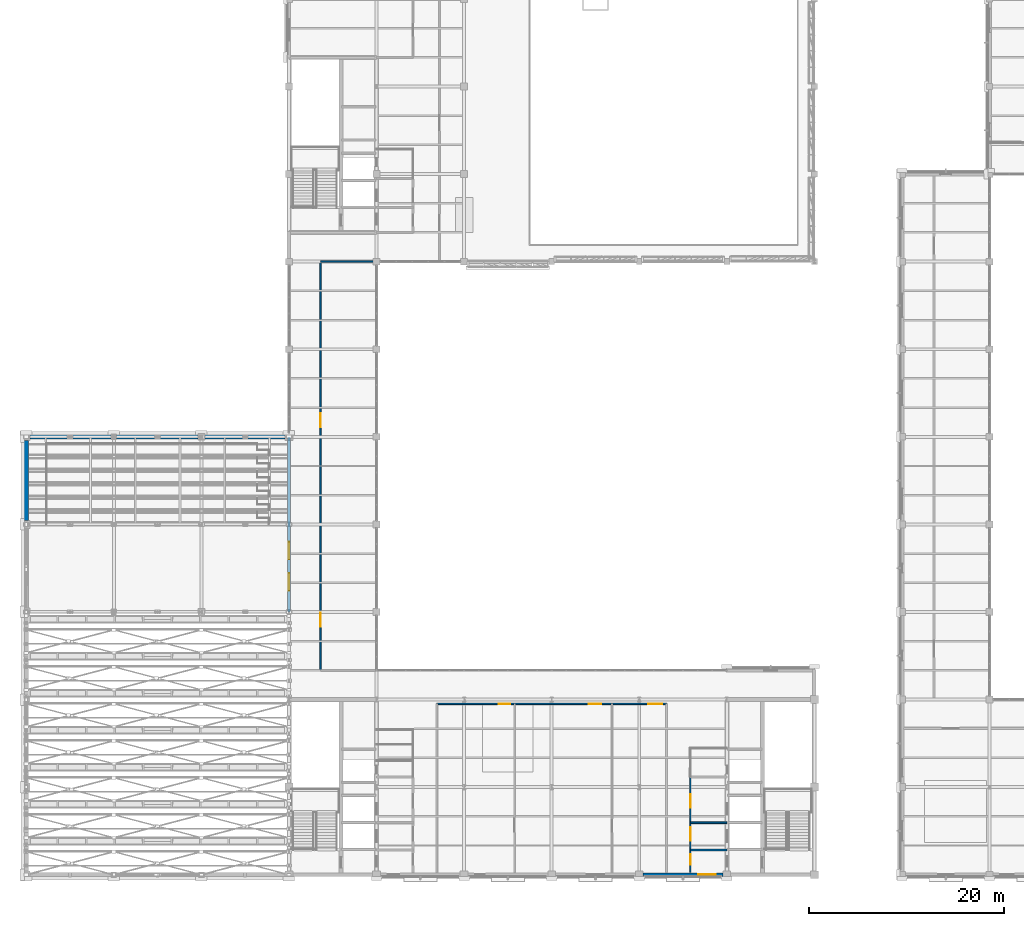
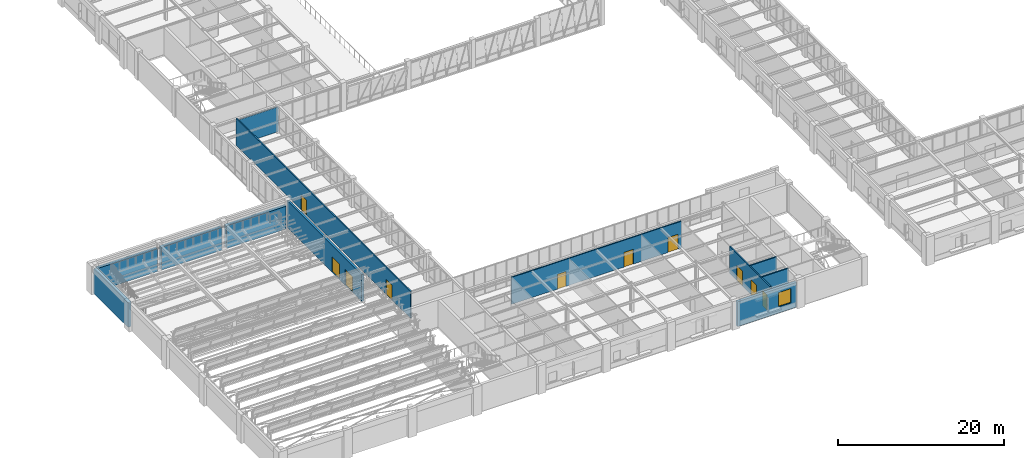
# One storey, part 91 of 108: 12 walls, 10 doors, 1 window, 11 openings.
"""IFC4 building model written with IfcOpenShell, lengths in metres."""

from ifc_helpers import new_model, si_unit, direction, frame, frame_2d, origin, place, context, subcontext, project, spatial, rectangle, extrude, material, layer, layer_set, type_object, element, fill, save


model = new_model("IFC4")

# Units and contexts
model_context = context("Model", 3, precision=1e-05, world=origin(), true_north=direction((0.0, 1.0)))
body_context = subcontext(model_context, "Body", "Model", "MODEL_VIEW")
ifc_project = project(units=[si_unit("LENGTHUNIT", "METRE"), si_unit("AREAUNIT", "SQUARE_METRE"), si_unit("VOLUMEUNIT", "CUBIC_METRE"), si_unit("PLANEANGLEUNIT", "RADIAN"), si_unit("MASSUNIT", "GRAM", prefix="KILO")], contexts=[model_context])

# Site, building, storey
site_placement = place(None, origin())
site = spatial("IfcSite", under=ifc_project, at=site_placement, CompositionType="ELEMENT")
building_placement = place(site_placement, origin())
building = spatial("IfcBuilding", under=site, at=building_placement, Name="Lykobir Media Centre", CompositionType="ELEMENT")
storey_placement = place(building_placement, frame((0.0, 0.0, 15.0)))
storey = spatial("IfcBuildingStorey", under=building, at=storey_placement, Name="L03", CompositionType="ELEMENT", Elevation=15.0)

# Walls
ifc_material_1 = material(Name="Concrete C35/45", Category="concrete")
ifc_layer_1 = layer(ifc_material_1, 0.4599609375, Name="Concrete C35/45")
ifc_layer_set_1 = layer_set([ifc_layer_1], Name="Concrete C35/45")
wall_type_1 = type_object("IfcWallType", Name="EW-ACO-460", PredefinedType="STANDARD", material=ifc_layer_set_1)
wall_1_placement = place(storey_placement, frame((8.715087890625, 45.0, 0.0), z_axis=(0.0, 0.0, 1.0), x_axis=(-1.0, 0.0, 0.0)))
element("IfcWall", 1, at=wall_1_placement, inside=storey, type_object=wall_type_1, Name="Exterior wall WALL-L03-0243", PredefinedType="STANDARD", context=body_context, shape_type="SweptSolid", body=[
    extrude(rectangle(XDim=8.330078125, YDim=0.4599609375, at=frame_2d((4.1650390625, 0.0))), origin(), (0.0, 0.0, 1.0), 3.3349609375),
])
wall_2_placement = place(storey_placement, frame((17.6650390625, 45.0, 0.0), z_axis=(0.0, 0.0, 1.0), x_axis=(-1.0, 0.0, 0.0)))
element("IfcWall", 2, at=wall_2_placement, inside=storey, type_object=wall_type_1, Name="Exterior wall WALL-L03-0244", PredefinedType="STANDARD", context=body_context, shape_type="SweptSolid", body=[
    extrude(rectangle(XDim=8.380126953125, YDim=0.4599609375, at=frame_2d((4.18994140625, 0.0))), origin(), (0.0, 0.0, 1.0), 3.3349609375),
])
wall_3_placement = place(storey_placement, frame((26.614990234375, 45.0, 0.0), z_axis=(0.0, 0.0, 1.0), x_axis=(-1.0, 0.0, 0.0)))
element("IfcWall", 3, at=wall_3_placement, inside=storey, type_object=wall_type_1, Name="Exterior wall WALL-L03-0245", PredefinedType="STANDARD", context=body_context, shape_type="SweptSolid", body=[
    extrude(rectangle(XDim=8.280029296875, YDim=0.4599609375, at=frame_2d((4.14013671875, 0.0))), origin(), (0.0, 0.0, 1.0), 3.3349609375),
])
wall_4_placement = place(storey_placement, frame((0.0, 44.614990234375, 0.0), z_axis=(0.0, 0.0, 1.0), x_axis=(0.0, -1.0, 0.0)))
element("IfcWall", 4, at=wall_4_placement, inside=storey, type_object=wall_type_1, Name="Exterior wall WALL-L03-0247", PredefinedType="STANDARD", context=body_context, shape_type="SweptSolid", body=[
    extrude(rectangle(XDim=8.22998046875, YDim=0.4599609375, at=frame_2d((4.114990234375, 0.0))), origin(), (0.0, 0.0, 1.0), 3.625),
])

# Wall, opening, window
ifc_material_2 = material(Name="Architectural Ochre Brick", Category="masonry")
ifc_layer_2 = layer(ifc_material_2, 0.360107421875, Name="Architectural Ochre Brick")
ifc_layer_set_2 = layer_set([ifc_layer_2], Name="Architectural Ochre Brick")
wall_type_2 = type_object("IfcWallType", Name="EW-BRK-360", PredefinedType="STANDARD", material=ifc_layer_set_2)
wall_5_placement = place(storey_placement, frame((63.385009765625, 0.0, 0.0), z_axis=(0.0, 0.0, 1.0), x_axis=(1.0, 0.0, 0.0)))
wall_5 = element("IfcWall", 5, at=wall_5_placement, inside=storey, type_object=wall_type_2, Name="Exterior wall WALL-L03-0235", PredefinedType="STANDARD", context=body_context, shape_type="SweptSolid", body=[
    extrude(rectangle(XDim=8.22998046875, YDim=0.360107421875, at=frame_2d((4.114990234375, 0.0))), origin(), (0.0, 0.0, 1.0), 3.635009765625),
])
opening_1_placement = place(wall_5_placement, frame((5.679931640625, 0.0, 0.89990234375)))
opening_1 = element("IfcOpeningElement", 6, at=opening_1_placement, cuts=wall_5, Name="Opening WN-1800x2100", PredefinedType="OPENING", context=body_context, shape_type="SweptSolid", body=[
    extrude(rectangle(XDim=1.800048828125, YDim=2.10009765625, at=frame_2d((0.89990234375, 1.050048828125))), frame((0.0, 0.18994140625, 0.0), z_axis=(0.0, -1.0, 0.0), x_axis=(1.0, 0.0, 0.0)), (0.0, 0.0, 1.0), 0.380126953125),
])
ifc_material_3 = material(Name="Low-E Laminated Triple Glazing", Category="glass")
window_type = type_object("IfcWindowType", Name="WN-1800x2100", PartitioningType="SINGLE_PANEL", PredefinedType="WINDOW", material=ifc_material_3)
window_placement = place(opening_1_placement, origin())
window = element("IfcWindow", 7, at=window_placement, inside=storey, type_object=window_type, Name="Window WIN-L03-0076", OverallHeight=2.10009765625, OverallWidth=1.800048828125, PartitioningType="SINGLE_PANEL", PredefinedType="WINDOW", context=body_context, shape_type="SweptSolid", body=[
    extrude(rectangle(XDim=1.800048828125, YDim=2.10009765625, at=frame_2d((0.89990234375, 1.050048828125))), frame((0.0, 0.030029296875, 0.0), z_axis=(0.0, -1.0, 0.0), x_axis=(1.0, 0.0, 0.0)), (0.0, 0.0, 1.0), 0.06005859375),
])
fill(opening_1, window)

# Wall, openings, doors
ifc_material_4 = material(Name="Acoustic Gypsum Board", Category="gypsum")
ifc_layer_3 = layer(ifc_material_4, 0.159912109375, Name="Acoustic Gypsum Board")
ifc_layer_set_3 = layer_set([ifc_layer_3], Name="Acoustic Gypsum Board")
wall_type_3 = type_object("IfcWallType", Name="IW-COR-160", PredefinedType="PARTITIONING", material=ifc_layer_set_3)
wall_6_placement = place(storey_placement, frame((42.199951171875, 17.550048828125, 0.0), z_axis=(0.0, 0.0, 1.0), x_axis=(1.0, 0.0, 0.0)))
wall_6 = element("IfcWall", 8, at=wall_6_placement, inside=storey, type_object=wall_type_3, Name="Wall IWALL-L03-0715", PredefinedType="PARTITIONING", context=body_context, shape_type="SweptSolid", body=[
    extrude(rectangle(XDim=23.60009765625, YDim=0.159912109375, at=frame_2d((11.800048828125, 0.0))), origin(), (0.0, 0.0, 1.0), 3.9599609375),
])
opening_2_placement = place(wall_6_placement, frame((6.35009765625, 0.0, 0.0)))
opening_2 = element("IfcOpeningElement", 9, at=opening_2_placement, cuts=wall_6, Name="Opening D-L03-V7R1", PredefinedType="OPENING", context=body_context, shape_type="SweptSolid", body=[
    extrude(rectangle(XDim=1.199951171875, YDim=2.179931640625, at=frame_2d((0.60009765625, 1.08984375))), frame((0.0, 0.08984375, 0.0), z_axis=(0.0, -1.0, 0.0), x_axis=(1.0, 0.0, 0.0)), (0.0, 0.0, 1.0), 0.179931640625),
])
opening_3_placement = place(wall_6_placement, frame((15.60009765625, 0.0, 0.0)))
opening_3 = element("IfcOpeningElement", 10, at=opening_3_placement, cuts=wall_6, Name="Opening D-L03-V7R2", PredefinedType="OPENING", context=body_context, shape_type="SweptSolid", body=[
    extrude(rectangle(XDim=1.300048828125, YDim=2.179931640625, at=frame_2d((0.64990234375, 1.08984375))), frame((0.0, 0.08984375, 0.0), z_axis=(0.0, -1.0, 0.0), x_axis=(1.0, 0.0, 0.0)), (0.0, 0.0, 1.0), 0.179931640625),
])
opening_4_placement = place(wall_6_placement, frame((21.699951171875, 0.0, 0.0)))
opening_4 = element("IfcOpeningElement", 11, at=opening_4_placement, cuts=wall_6, Name="Opening D-L03-V7R3", PredefinedType="OPENING", context=body_context, shape_type="SweptSolid", body=[
    extrude(rectangle(XDim=1.449951171875, YDim=2.219970703125, at=frame_2d((0.72509765625, 1.10986328125))), frame((0.0, 0.08984375, 0.0), z_axis=(0.0, -1.0, 0.0), x_axis=(1.0, 0.0, 0.0)), (0.0, 0.0, 1.0), 0.179931640625),
])
ifc_material_5 = material(Name="Acoustic Timber Panelling", Category="wood")
door_type_1 = type_object("IfcDoorType", Name="FD-1200x2180", OperationType="NOTDEFINED", PredefinedType="DOOR", material=ifc_material_5)
door_1_placement = place(opening_2_placement, origin())
door_1 = element("IfcDoor", 12, at=door_1_placement, inside=storey, type_object=door_type_1, Name="Door D-L03-V7R1", OperationType="SINGLE_SWING_LEFT", OverallHeight=2.179931640625, OverallWidth=1.199951171875, PredefinedType="DOOR", context=body_context, shape_type="SweptSolid", body=[
    extrude(rectangle(XDim=1.199951171875, YDim=2.179931640625, at=frame_2d((0.60009765625, 1.08984375))), frame((0.0, 0.02490234375, 0.0), z_axis=(0.0, -1.0, 0.0), x_axis=(1.0, 0.0, 0.0)), (0.0, 0.0, 1.0), 0.050048828125),
])
fill(opening_2, door_1)
door_type_2 = type_object("IfcDoorType", Name="FD-1300x2180", OperationType="NOTDEFINED", PredefinedType="DOOR", material=ifc_material_5)
door_2_placement = place(opening_3_placement, origin())
door_2 = element("IfcDoor", 13, at=door_2_placement, inside=storey, type_object=door_type_2, Name="Door D-L03-V7R2", OperationType="SINGLE_SWING_LEFT", OverallHeight=2.179931640625, OverallWidth=1.300048828125, PredefinedType="DOOR", context=body_context, shape_type="SweptSolid", body=[
    extrude(rectangle(XDim=1.300048828125, YDim=2.179931640625, at=frame_2d((0.64990234375, 1.08984375))), frame((0.0, 0.02490234375, 0.0), z_axis=(0.0, -1.0, 0.0), x_axis=(1.0, 0.0, 0.0)), (0.0, 0.0, 1.0), 0.050048828125),
])
fill(opening_3, door_2)
door_type_3 = type_object("IfcDoorType", Name="FD-1450x2220", OperationType="NOTDEFINED", PredefinedType="DOOR", material=ifc_material_5)
door_3_placement = place(opening_4_placement, origin())
door_3 = element("IfcDoor", 14, at=door_3_placement, inside=storey, type_object=door_type_3, Name="Door D-L03-V7R3", OperationType="SINGLE_SWING_LEFT", OverallHeight=2.219970703125, OverallWidth=1.449951171875, PredefinedType="DOOR", context=body_context, shape_type="SweptSolid", body=[
    extrude(rectangle(XDim=1.449951171875, YDim=2.219970703125, at=frame_2d((0.72509765625, 1.10986328125))), frame((0.0, 0.02490234375, 0.0), z_axis=(0.0, -1.0, 0.0), x_axis=(1.0, 0.0, 0.0)), (0.0, 0.0, 1.0), 0.050048828125),
])
fill(opening_4, door_3)

wall_7_placement = place(storey_placement, frame((30.25, 21.0, 0.0), z_axis=(0.0, 0.0, 1.0), x_axis=(0.0, 1.0, 0.0)))
wall_7 = element("IfcWall", 15, at=wall_7_placement, inside=storey, type_object=wall_type_3, Name="Wall IWALL-L03-0720", PredefinedType="PARTITIONING", context=body_context, shape_type="SweptSolid", body=[
    extrude(rectangle(XDim=42.0, YDim=0.159912109375, at=frame_2d((21.0, 0.0))), origin(), (0.0, 0.0, 1.0), 3.9599609375),
])
opening_5_placement = place(wall_7_placement, frame((4.5, 0.0, 0.0)))
opening_5 = element("IfcOpeningElement", 16, at=opening_5_placement, cuts=wall_7, Name="Opening D-L03-WG1", PredefinedType="OPENING", context=body_context, shape_type="SweptSolid", body=[
    extrude(rectangle(XDim=1.39990234375, YDim=2.199951171875, at=frame_2d((0.699951171875, 1.10009765625))), frame((0.0, 0.08984375, 0.0), z_axis=(0.0, -1.0, 0.0), x_axis=(1.0, 0.0, 0.0)), (0.0, 0.0, 1.0), 0.179931640625),
])
opening_6_placement = place(wall_7_placement, frame((25.0, 0.0, 0.0)))
opening_6 = element("IfcOpeningElement", 17, at=opening_6_placement, cuts=wall_7, Name="Opening D-L03-WG2", PredefinedType="OPENING", context=body_context, shape_type="SweptSolid", body=[
    extrude(rectangle(XDim=1.39990234375, YDim=2.199951171875, at=frame_2d((0.699951171875, 1.10009765625))), frame((0.0, 0.08984375, 0.0), z_axis=(0.0, -1.0, 0.0), x_axis=(1.0, 0.0, 0.0)), (0.0, 0.0, 1.0), 0.179931640625),
])
door_type_4 = type_object("IfcDoorType", Name="FD-1400x2200", OperationType="NOTDEFINED", PredefinedType="DOOR", material=ifc_material_5)
door_4_placement = place(opening_5_placement, origin())
door_4 = element("IfcDoor", 18, at=door_4_placement, inside=storey, type_object=door_type_4, Name="Door D-L03-WG1", OperationType="DOUBLE_DOOR_SINGLE_SWING", OverallHeight=2.199951171875, OverallWidth=1.39990234375, PredefinedType="DOOR", context=body_context, shape_type="SweptSolid", body=[
    extrude(rectangle(XDim=1.39990234375, YDim=2.199951171875, at=frame_2d((0.699951171875, 1.10009765625))), frame((0.0, 0.02490234375, 0.0), z_axis=(0.0, -1.0, 0.0), x_axis=(1.0, 0.0, 0.0)), (0.0, 0.0, 1.0), 0.050048828125),
])
fill(opening_5, door_4)
door_5_placement = place(opening_6_placement, origin())
door_5 = element("IfcDoor", 19, at=door_5_placement, inside=storey, type_object=door_type_4, Name="Door D-L03-WG2", OperationType="DOUBLE_DOOR_SINGLE_SWING", OverallHeight=2.199951171875, OverallWidth=1.39990234375, PredefinedType="DOOR", context=body_context, shape_type="SweptSolid", body=[
    extrude(rectangle(XDim=1.39990234375, YDim=2.199951171875, at=frame_2d((0.699951171875, 1.10009765625))), frame((0.0, 0.02490234375, 0.0), z_axis=(0.0, -1.0, 0.0), x_axis=(1.0, 0.0, 0.0)), (0.0, 0.0, 1.0), 0.050048828125),
])
fill(opening_6, door_5)

# Wall
wall_8_placement = place(storey_placement, frame((30.25, 63.0, 0.0), z_axis=(0.0, 0.0, 1.0), x_axis=(1.0, 0.0, 0.0)))
element("IfcWall", 20, at=wall_8_placement, inside=storey, type_object=wall_type_3, Name="Wall IWALL-L03-0722", PredefinedType="PARTITIONING", context=body_context, shape_type="SweptSolid", body=[
    extrude(rectangle(XDim=5.75, YDim=0.159912109375, at=frame_2d((2.875, 0.0))), origin(), (0.0, 0.0, 1.0), 3.635009765625),
])

# Wall, openings, doors
ifc_layer_4 = layer(ifc_material_4, 0.179931640625, Name="Acoustic Gypsum Board")
ifc_layer_set_4 = layer_set([ifc_layer_4], Name="Acoustic Gypsum Board")
wall_type_4 = type_object("IfcWallType", Name="IW-FFLOB-180", PredefinedType="PARTITIONING", material=ifc_layer_set_4)
wall_9_placement = place(storey_placement, frame((68.25, 0.219970703125, 0.0), z_axis=(0.0, 0.0, 1.0), x_axis=(0.0, 1.0, 0.0)))
wall_9 = element("IfcWall", 21, at=wall_9_placement, inside=storey, type_object=wall_type_4, Name="Wall IWALL-L03-0257", PredefinedType="PARTITIONING", context=body_context, shape_type="SweptSolid", body=[
    extrude(rectangle(XDim=9.830078125, YDim=0.179931640625, at=frame_2d((4.9150390625, 0.0))), origin(), (0.0, 0.0, 1.0), 3.9599609375),
])
opening_7_placement = place(wall_9_placement, frame((0.800048828125, 0.0, 0.0)))
opening_7 = element("IfcOpeningElement", 22, at=opening_7_placement, cuts=wall_9, Name="Opening D-L03-C2LV", PredefinedType="OPENING", context=body_context, shape_type="SweptSolid", body=[
    extrude(rectangle(XDim=1.10009765625, YDim=2.159912109375, at=frame_2d((0.550048828125, 1.080078125))), frame((0.0, 0.099853515625, 0.0), z_axis=(0.0, -1.0, 0.0), x_axis=(1.0, 0.0, 0.0)), (0.0, 0.0, 1.0), 0.199951171875),
])
opening_8_placement = place(wall_9_placement, frame((3.25, 0.0, 0.0)))
opening_8 = element("IfcOpeningElement", 23, at=opening_8_placement, cuts=wall_9, Name="Opening D-L03-C2PL", PredefinedType="OPENING", context=body_context, shape_type="SweptSolid", body=[
    extrude(rectangle(XDim=1.39990234375, YDim=2.199951171875, at=frame_2d((0.699951171875, 1.10009765625))), frame((0.0, 0.099853515625, 0.0), z_axis=(0.0, -1.0, 0.0), x_axis=(1.0, 0.0, 0.0)), (0.0, 0.0, 1.0), 0.199951171875),
])
opening_9_placement = place(wall_9_placement, frame((6.64990234375, 0.0, 0.0)))
opening_9 = element("IfcOpeningElement", 24, at=opening_9_placement, cuts=wall_9, Name="Opening D-L03-C2FF", PredefinedType="OPENING", context=body_context, shape_type="SweptSolid", body=[
    extrude(rectangle(XDim=1.39990234375, YDim=2.199951171875, at=frame_2d((0.699951171875, 1.10009765625))), frame((0.0, 0.099853515625, 0.0), z_axis=(0.0, -1.0, 0.0), x_axis=(1.0, 0.0, 0.0)), (0.0, 0.0, 1.0), 0.199951171875),
])
door_type_5 = type_object("IfcDoorType", Name="FD-1100x2160", OperationType="NOTDEFINED", PredefinedType="DOOR", material=ifc_material_5)
door_6_placement = place(opening_7_placement, origin())
door_6 = element("IfcDoor", 25, at=door_6_placement, inside=storey, type_object=door_type_5, Name="Door D-L03-C2LV", OperationType="SINGLE_SWING_LEFT", OverallHeight=2.159912109375, OverallWidth=1.10009765625, PredefinedType="DOOR", context=body_context, shape_type="SweptSolid", body=[
    extrude(rectangle(XDim=1.10009765625, YDim=2.159912109375, at=frame_2d((0.550048828125, 1.080078125))), frame((0.0, 0.02490234375, 0.0), z_axis=(0.0, -1.0, 0.0), x_axis=(1.0, 0.0, 0.0)), (0.0, 0.0, 1.0), 0.050048828125),
])
fill(opening_7, door_6)
door_7_placement = place(opening_8_placement, origin())
door_7 = element("IfcDoor", 26, at=door_7_placement, inside=storey, type_object=door_type_4, Name="Door D-L03-C2PL", OperationType="DOUBLE_DOOR_SINGLE_SWING", OverallHeight=2.199951171875, OverallWidth=1.39990234375, PredefinedType="DOOR", context=body_context, shape_type="SweptSolid", body=[
    extrude(rectangle(XDim=1.39990234375, YDim=2.199951171875, at=frame_2d((0.699951171875, 1.10009765625))), frame((0.0, 0.02490234375, 0.0), z_axis=(0.0, -1.0, 0.0), x_axis=(1.0, 0.0, 0.0)), (0.0, 0.0, 1.0), 0.050048828125),
])
fill(opening_8, door_7)
door_8_placement = place(opening_9_placement, origin())
door_8 = element("IfcDoor", 27, at=door_8_placement, inside=storey, type_object=door_type_4, Name="Door D-L03-C2FF", OperationType="DOUBLE_DOOR_SINGLE_SWING", OverallHeight=2.199951171875, OverallWidth=1.39990234375, PredefinedType="DOOR", context=body_context, shape_type="SweptSolid", body=[
    extrude(rectangle(XDim=1.39990234375, YDim=2.199951171875, at=frame_2d((0.699951171875, 1.10009765625))), frame((0.0, 0.02490234375, 0.0), z_axis=(0.0, -1.0, 0.0), x_axis=(1.0, 0.0, 0.0)), (0.0, 0.0, 1.0), 0.050048828125),
])
fill(opening_9, door_8)

# Walls
for number, where, z_axis, x_axis, name in (
    (28, (68.25, 2.550048828125, 0.0), (0.0, 0.0, 1.0), (1.0, 0.0, 0.0), "Wall IWALL-L03-0258"),
    (29, (68.25, 5.35009765625, 0.0), (0.0, 0.0, 1.0), (1.0, 0.0, 0.0), "Wall IWALL-L03-0259"),
):
    element("IfcWall", number, at=place(storey_placement, frame(where, z_axis=z_axis, x_axis=x_axis)), inside=storey, type_object=wall_type_4, Name=name, PredefinedType="PARTITIONING", context=body_context, shape_type="SweptSolid", body=[
        extrude(rectangle(XDim=3.75, YDim=0.179931640625, at=frame_2d((1.875, 0.0))), origin(), (0.0, 0.0, 1.0), 3.9599609375),
    ])

# Wall, openings, doors
ifc_material_6 = material(Name="Concrete C40/50", Category="concrete")
ifc_layer_5 = layer(ifc_material_6, 0.300048828125, Name="Concrete C40/50")
ifc_layer_set_5 = layer_set([ifc_layer_5], Name="Concrete C40/50")
wall_type_5 = type_object("IfcWallType", Name="SW-COMP-300", PredefinedType="SHEAR", material=ifc_layer_set_5)
wall_10_placement = place(storey_placement, frame((27.0, 27.0, 0.0), z_axis=(0.0, 0.0, 1.0), x_axis=(0.0, 1.0, 0.0)))
wall_10 = element("IfcWall", 30, at=wall_10_placement, inside=storey, type_object=wall_type_5, Name="Wall IWALL-L03-0723", PredefinedType="SHEAR", context=body_context, shape_type="SweptSolid", body=[
    extrude(rectangle(XDim=18.0, YDim=0.300048828125, at=frame_2d((9.0, 0.0))), origin(), (0.0, 0.0, 1.0), 3.9599609375),
])
opening_10_placement = place(wall_10_placement, frame((2.199951171875, 0.0, 0.0)))
opening_10 = element("IfcOpeningElement", 31, at=opening_10_placement, cuts=wall_10, Name="Opening D-L03-CIN1", PredefinedType="OPENING", context=body_context, shape_type="SweptSolid", body=[
    extrude(rectangle(XDim=1.800048828125, YDim=2.280029296875, at=frame_2d((0.89990234375, 1.14013671875))), frame((0.0, 0.159912109375, 0.0), z_axis=(0.0, -1.0, 0.0), x_axis=(1.0, 0.0, 0.0)), (0.0, 0.0, 1.0), 0.320068359375),
])
opening_11_placement = place(wall_10_placement, frame((5.39990234375, 0.0, 0.0)))
opening_11 = element("IfcOpeningElement", 32, at=opening_11_placement, cuts=wall_10, Name="Opening D-L03-CIN2", PredefinedType="OPENING", context=body_context, shape_type="SweptSolid", body=[
    extrude(rectangle(XDim=1.800048828125, YDim=2.280029296875, at=frame_2d((0.89990234375, 1.14013671875))), frame((0.0, 0.159912109375, 0.0), z_axis=(0.0, -1.0, 0.0), x_axis=(1.0, 0.0, 0.0)), (0.0, 0.0, 1.0), 0.320068359375),
])
door_type_6 = type_object("IfcDoorType", Name="FD-1800x2280", OperationType="NOTDEFINED", PredefinedType="DOOR", material=ifc_material_5)
door_9_placement = place(opening_10_placement, origin())
door_9 = element("IfcDoor", 33, at=door_9_placement, inside=storey, type_object=door_type_6, Name="Door D-L03-CIN1", OperationType="DOUBLE_DOOR_SINGLE_SWING", OverallHeight=2.280029296875, OverallWidth=1.800048828125, PredefinedType="DOOR", context=body_context, shape_type="SweptSolid", body=[
    extrude(rectangle(XDim=1.800048828125, YDim=2.280029296875, at=frame_2d((0.89990234375, 1.14013671875))), frame((0.0, 0.02490234375, 0.0), z_axis=(0.0, -1.0, 0.0), x_axis=(1.0, 0.0, 0.0)), (0.0, 0.0, 1.0), 0.050048828125),
])
fill(opening_10, door_9)
door_10_placement = place(opening_11_placement, origin())
door_10 = element("IfcDoor", 34, at=door_10_placement, inside=storey, type_object=door_type_6, Name="Door D-L03-CIN2", OperationType="DOUBLE_DOOR_SINGLE_SWING", OverallHeight=2.280029296875, OverallWidth=1.800048828125, PredefinedType="DOOR", context=body_context, shape_type="SweptSolid", body=[
    extrude(rectangle(XDim=1.800048828125, YDim=2.280029296875, at=frame_2d((0.89990234375, 1.14013671875))), frame((0.0, 0.02490234375, 0.0), z_axis=(0.0, -1.0, 0.0), x_axis=(1.0, 0.0, 0.0)), (0.0, 0.0, 1.0), 0.050048828125),
])
fill(opening_11, door_10)

save(model, "model.ifc")
